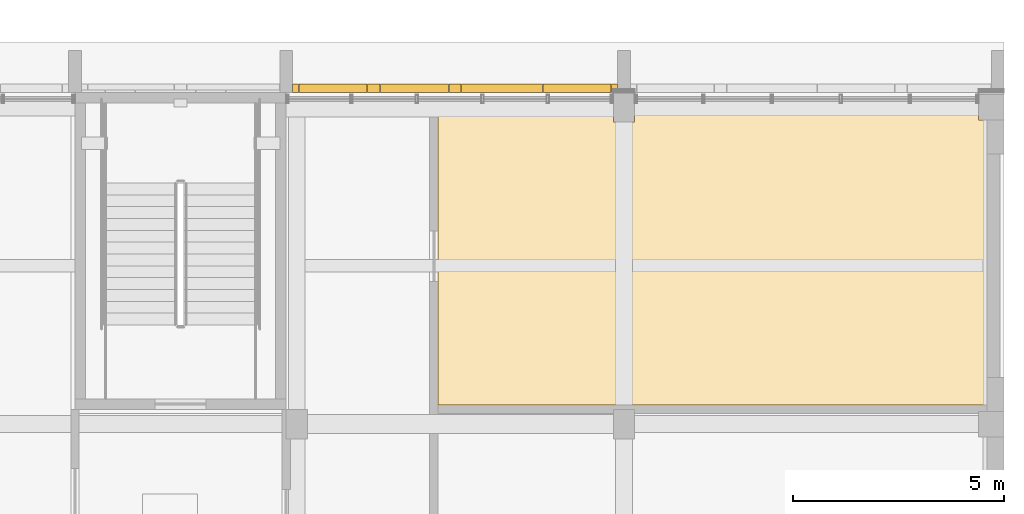
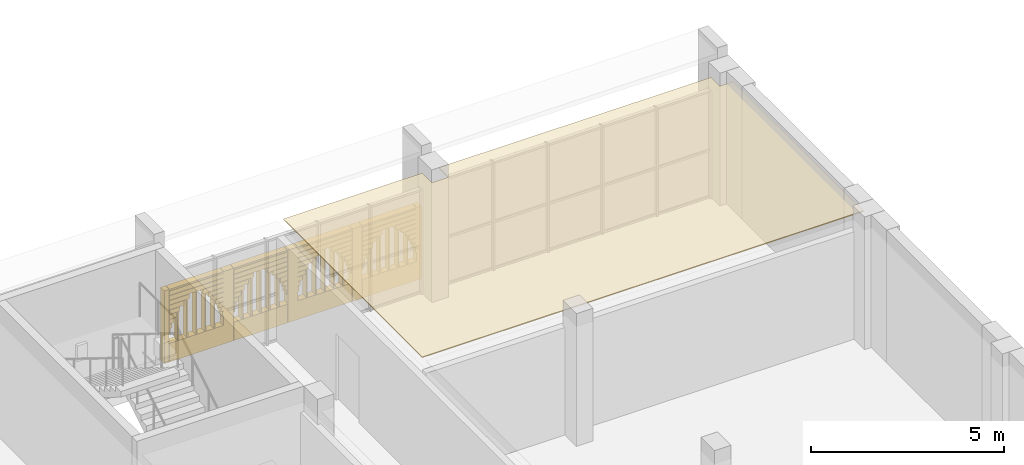
# One storey, part 97 of 98: 2 coverings.
"""IFC4 building model written with IfcOpenShell, lengths in metres."""

from ifc_helpers import new_model, si_unit, direction, frame, origin, origin_2d, place, context, subcontext, project, spatial, polyline, rectangle, outline, extrude, material, layer, layer_set, type_object, element, save


model = new_model("IFC4")

# Units and contexts
model_context = context("Model", 3, precision=1e-05, world=origin(), true_north=direction((0.0, 1.0)))
body_context = subcontext(model_context, "Body", "Model", "MODEL_VIEW")
ifc_project = project(units=[si_unit("LENGTHUNIT", "METRE"), si_unit("AREAUNIT", "SQUARE_METRE"), si_unit("VOLUMEUNIT", "CUBIC_METRE"), si_unit("PLANEANGLEUNIT", "RADIAN"), si_unit("MASSUNIT", "GRAM", prefix="KILO")], contexts=[model_context])

# Site, building, storey
site_placement = place(None, origin())
site = spatial("IfcSite", under=ifc_project, at=site_placement, CompositionType="ELEMENT")
building_placement = place(site_placement, origin())
building = spatial("IfcBuilding", under=site, at=building_placement, Name="Sun Court Science Centre", CompositionType="ELEMENT")
storey_placement = place(building_placement, frame((0.0, 0.0, 15.75)))
storey = spatial("IfcBuildingStorey", under=building, at=storey_placement, Name="L03", CompositionType="ELEMENT", Elevation=15.75)

# Coverings
ifc_material_1 = material(Name="Red sandstone", Category="masonry")
ifc_layer_1 = layer(ifc_material_1, 0.199951171875)
ifc_layer_set_1 = layer_set([ifc_layer_1], Name="Red sandstone")
covering_type_1 = type_object("IfcCoveringType", Name="Arched jali screen 200", PredefinedType="CLADDING", material=ifc_layer_set_1)
covering_1_placement = place(storey_placement, frame((0.0, 0.0, -15.75)))
element("IfcCovering", 1, at=covering_1_placement, inside=storey, type_object=covering_type_1, Name="Arched jali screen north L03 03", PredefinedType="CLADDING", context=body_context, shape_type="SweptSolid", body=[
    extrude(rectangle(XDim=0.139892578125, YDim=0.199951171875, at=origin_2d()), frame((87.22509765625, 81.10009765625, 16.054931640625), z_axis=(0.0, 0.0, 1.0), x_axis=(1.0, 0.0, 0.0)), (0.0, 0.0, 1.0), 2.29736328125),
    extrude(rectangle(XDim=0.2900390625, YDim=0.199951171875, at=origin_2d()), frame((89.074951171875, 81.10009765625, 16.054931640625), z_axis=(0.0, 0.0, 1.0), x_axis=(1.0, 0.0, 0.0)), (0.0, 0.0, 1.0), 2.29736328125),
    extrude(rectangle(XDim=0.2900390625, YDim=0.199951171875, at=origin_2d()), frame((91.0, 81.10009765625, 16.054931640625), z_axis=(0.0, 0.0, 1.0), x_axis=(1.0, 0.0, 0.0)), (0.0, 0.0, 1.0), 2.29736328125),
    extrude(rectangle(XDim=0.2900390625, YDim=0.199951171875, at=origin_2d()), frame((92.925048828125, 81.10009765625, 16.054931640625), z_axis=(0.0, 0.0, 1.0), x_axis=(1.0, 0.0, 0.0)), (0.0, 0.0, 1.0), 2.29736328125),
    extrude(rectangle(XDim=0.139892578125, YDim=0.199951171875, at=origin_2d()), frame((94.77490234375, 81.10009765625, 16.054931640625), z_axis=(0.0, 0.0, 1.0), x_axis=(1.0, 0.0, 0.0)), (0.0, 0.0, 1.0), 2.29736328125),
    extrude(rectangle(XDim=1.614990234375, YDim=0.199951171875, at=origin_2d()), frame((88.112548828125, 81.10009765625, 16.05517578125), z_axis=(0.0, 0.0, 1.0), x_axis=(1.0, 0.0, 0.0)), (0.0, 0.0, 1.0), 0.590087890625),
    extrude(rectangle(XDim=0.033935546875, YDim=0.199951171875, at=origin_2d()), frame((87.322021484375, 81.10009765625, 16.955078125), z_axis=(0.0, 0.0, 1.0), x_axis=(1.0, 0.0, 0.0)), (0.0, 0.0, 1.0), 0.139892578125),
    extrude(rectangle(XDim=0.033935546875, YDim=0.199951171875, at=origin_2d()), frame((88.903076171875, 81.10009765625, 16.955078125), z_axis=(0.0, 0.0, 1.0), x_axis=(1.0, 0.0, 0.0)), (0.0, 0.0, 1.0), 0.139892578125),
    extrude(rectangle(XDim=0.0771484375, YDim=0.199951171875, at=origin_2d()), frame((87.343505859375, 81.10009765625, 17.10498046875), z_axis=(0.0, 0.0, 1.0), x_axis=(1.0, 0.0, 0.0)), (0.0, 0.0, 1.0), 0.139892578125),
    extrude(rectangle(XDim=0.0771484375, YDim=0.199951171875, at=origin_2d()), frame((88.88134765625, 81.10009765625, 17.10498046875), z_axis=(0.0, 0.0, 1.0), x_axis=(1.0, 0.0, 0.0)), (0.0, 0.0, 1.0), 0.139892578125),
    extrude(rectangle(XDim=0.13671875, YDim=0.199951171875, at=origin_2d()), frame((87.373291015625, 81.10009765625, 17.2548828125), z_axis=(0.0, 0.0, 1.0), x_axis=(1.0, 0.0, 0.0)), (0.0, 0.0, 1.0), 0.139892578125),
    extrude(rectangle(XDim=0.13671875, YDim=0.199951171875, at=origin_2d()), frame((88.8515625, 81.10009765625, 17.2548828125), z_axis=(0.0, 0.0, 1.0), x_axis=(1.0, 0.0, 0.0)), (0.0, 0.0, 1.0), 0.139892578125),
    extrude(rectangle(XDim=0.215087890625, YDim=0.199951171875, at=origin_2d()), frame((87.41259765625, 81.10009765625, 17.4052734375), z_axis=(0.0, 0.0, 1.0), x_axis=(1.0, 0.0, 0.0)), (0.0, 0.0, 1.0), 0.139892578125),
    extrude(rectangle(XDim=0.215087890625, YDim=0.199951171875, at=origin_2d()), frame((88.8125, 81.10009765625, 17.4052734375), z_axis=(0.0, 0.0, 1.0), x_axis=(1.0, 0.0, 0.0)), (0.0, 0.0, 1.0), 0.139892578125),
    extrude(rectangle(XDim=0.31494140625, YDim=0.199951171875, at=origin_2d()), frame((87.46240234375, 81.10009765625, 17.55517578125), z_axis=(0.0, 0.0, 1.0), x_axis=(1.0, 0.0, 0.0)), (0.0, 0.0, 1.0), 0.139892578125),
    extrude(rectangle(XDim=0.31494140625, YDim=0.199951171875, at=origin_2d()), frame((88.762451171875, 81.10009765625, 17.55517578125), z_axis=(0.0, 0.0, 1.0), x_axis=(1.0, 0.0, 0.0)), (0.0, 0.0, 1.0), 0.139892578125),
    extrude(rectangle(XDim=0.4423828125, YDim=0.199951171875, at=origin_2d()), frame((87.526123046875, 81.10009765625, 17.705078125), z_axis=(0.0, 0.0, 1.0), x_axis=(1.0, 0.0, 0.0)), (0.0, 0.0, 1.0), 0.139892578125),
    extrude(rectangle(XDim=0.4423828125, YDim=0.199951171875, at=origin_2d()), frame((88.69873046875, 81.10009765625, 17.705078125), z_axis=(0.0, 0.0, 1.0), x_axis=(1.0, 0.0, 0.0)), (0.0, 0.0, 1.0), 0.139892578125),
    extrude(rectangle(XDim=0.607421875, YDim=0.199951171875, at=origin_2d()), frame((87.608642578125, 81.10009765625, 17.85498046875), z_axis=(0.0, 0.0, 1.0), x_axis=(1.0, 0.0, 0.0)), (0.0, 0.0, 1.0), 0.139892578125),
    extrude(rectangle(XDim=0.607421875, YDim=0.199951171875, at=origin_2d()), frame((88.6162109375, 81.10009765625, 17.85498046875), z_axis=(0.0, 0.0, 1.0), x_axis=(1.0, 0.0, 0.0)), (0.0, 0.0, 1.0), 0.139892578125),
    extrude(rectangle(XDim=1.614990234375, YDim=0.199951171875, at=origin_2d()), frame((88.112548828125, 81.10009765625, 18.0048828125), z_axis=(0.0, 0.0, 1.0), x_axis=(1.0, 0.0, 0.0)), (0.0, 0.0, 1.0), 0.139892578125),
    extrude(rectangle(XDim=1.614990234375, YDim=0.199951171875, at=origin_2d()), frame((88.112548828125, 81.10009765625, 18.1552734375), z_axis=(0.0, 0.0, 1.0), x_axis=(1.0, 0.0, 0.0)), (0.0, 0.0, 1.0), 0.139892578125),
    extrude(rectangle(XDim=1.614990234375, YDim=0.199951171875, at=origin_2d()), frame((88.112548828125, 81.10009765625, 18.304931640625), z_axis=(0.0, 0.0, 1.0), x_axis=(1.0, 0.0, 0.0)), (0.0, 0.0, 1.0), 0.04736328125),
    extrude(rectangle(XDim=0.0400390625, YDim=0.199951171875, at=origin_2d()), frame((87.57080078125, 81.10009765625, 16.655029296875), z_axis=(0.0, 0.0, 1.0), x_axis=(1.0, 0.0, 0.0)), (0.0, 0.0, 1.0), 0.88818359375),
    extrude(rectangle(XDim=0.0400390625, YDim=0.199951171875, at=origin_2d()), frame((87.841552734375, 81.10009765625, 16.655029296875), z_axis=(0.0, 0.0, 1.0), x_axis=(1.0, 0.0, 0.0)), (0.0, 0.0, 1.0), 1.201171875),
    extrude(rectangle(XDim=0.0400390625, YDim=0.199951171875, at=origin_2d()), frame((88.112548828125, 81.10009765625, 16.6552734375), z_axis=(0.0, 0.0, 1.0), x_axis=(1.0, 0.0, 0.0)), (0.0, 0.0, 1.0), 1.397216796875),
    extrude(rectangle(XDim=0.0400390625, YDim=0.199951171875, at=origin_2d()), frame((88.38330078125, 81.10009765625, 16.655029296875), z_axis=(0.0, 0.0, 1.0), x_axis=(1.0, 0.0, 0.0)), (0.0, 0.0, 1.0), 1.201171875),
    extrude(rectangle(XDim=0.0400390625, YDim=0.199951171875, at=origin_2d()), frame((88.654052734375, 81.10009765625, 16.655029296875), z_axis=(0.0, 0.0, 1.0), x_axis=(1.0, 0.0, 0.0)), (0.0, 0.0, 1.0), 0.88818359375),
    extrude(rectangle(XDim=1.614990234375, YDim=0.199951171875, at=origin_2d()), frame((90.03759765625, 81.10009765625, 16.05517578125), z_axis=(0.0, 0.0, 1.0), x_axis=(1.0, 0.0, 0.0)), (0.0, 0.0, 1.0), 0.590087890625),
    extrude(rectangle(XDim=0.033935546875, YDim=0.199951171875, at=origin_2d()), frame((89.246826171875, 81.10009765625, 16.955078125), z_axis=(0.0, 0.0, 1.0), x_axis=(1.0, 0.0, 0.0)), (0.0, 0.0, 1.0), 0.139892578125),
    extrude(rectangle(XDim=0.033935546875, YDim=0.199951171875, at=origin_2d()), frame((90.828125, 81.10009765625, 16.955078125), z_axis=(0.0, 0.0, 1.0), x_axis=(1.0, 0.0, 0.0)), (0.0, 0.0, 1.0), 0.139892578125),
    extrude(rectangle(XDim=0.0771484375, YDim=0.199951171875, at=origin_2d()), frame((89.2685546875, 81.10009765625, 17.10498046875), z_axis=(0.0, 0.0, 1.0), x_axis=(1.0, 0.0, 0.0)), (0.0, 0.0, 1.0), 0.139892578125),
    extrude(rectangle(XDim=0.0771484375, YDim=0.199951171875, at=origin_2d()), frame((90.806396484375, 81.10009765625, 17.10498046875), z_axis=(0.0, 0.0, 1.0), x_axis=(1.0, 0.0, 0.0)), (0.0, 0.0, 1.0), 0.139892578125),
    extrude(rectangle(XDim=0.13671875, YDim=0.199951171875, at=origin_2d()), frame((89.29833984375, 81.10009765625, 17.2548828125), z_axis=(0.0, 0.0, 1.0), x_axis=(1.0, 0.0, 0.0)), (0.0, 0.0, 1.0), 0.139892578125),
    extrude(rectangle(XDim=0.13671875, YDim=0.199951171875, at=origin_2d()), frame((90.776611328125, 81.10009765625, 17.2548828125), z_axis=(0.0, 0.0, 1.0), x_axis=(1.0, 0.0, 0.0)), (0.0, 0.0, 1.0), 0.139892578125),
    extrude(rectangle(XDim=0.215087890625, YDim=0.199951171875, at=origin_2d()), frame((89.33740234375, 81.10009765625, 17.4052734375), z_axis=(0.0, 0.0, 1.0), x_axis=(1.0, 0.0, 0.0)), (0.0, 0.0, 1.0), 0.139892578125),
    extrude(rectangle(XDim=0.215087890625, YDim=0.199951171875, at=origin_2d()), frame((90.737548828125, 81.10009765625, 17.4052734375), z_axis=(0.0, 0.0, 1.0), x_axis=(1.0, 0.0, 0.0)), (0.0, 0.0, 1.0), 0.139892578125),
    extrude(rectangle(XDim=0.31494140625, YDim=0.199951171875, at=origin_2d()), frame((89.387451171875, 81.10009765625, 17.55517578125), z_axis=(0.0, 0.0, 1.0), x_axis=(1.0, 0.0, 0.0)), (0.0, 0.0, 1.0), 0.139892578125),
    extrude(rectangle(XDim=0.31494140625, YDim=0.199951171875, at=origin_2d()), frame((90.6875, 81.10009765625, 17.55517578125), z_axis=(0.0, 0.0, 1.0), x_axis=(1.0, 0.0, 0.0)), (0.0, 0.0, 1.0), 0.139892578125),
    extrude(rectangle(XDim=0.4423828125, YDim=0.199951171875, at=origin_2d()), frame((89.451171875, 81.10009765625, 17.705078125), z_axis=(0.0, 0.0, 1.0), x_axis=(1.0, 0.0, 0.0)), (0.0, 0.0, 1.0), 0.139892578125),
    extrude(rectangle(XDim=0.4423828125, YDim=0.199951171875, at=origin_2d()), frame((90.623779296875, 81.10009765625, 17.705078125), z_axis=(0.0, 0.0, 1.0), x_axis=(1.0, 0.0, 0.0)), (0.0, 0.0, 1.0), 0.139892578125),
    extrude(rectangle(XDim=0.607421875, YDim=0.199951171875, at=origin_2d()), frame((89.53369140625, 81.10009765625, 17.85498046875), z_axis=(0.0, 0.0, 1.0), x_axis=(1.0, 0.0, 0.0)), (0.0, 0.0, 1.0), 0.139892578125),
    extrude(rectangle(XDim=0.607421875, YDim=0.199951171875, at=origin_2d()), frame((90.541259765625, 81.10009765625, 17.85498046875), z_axis=(0.0, 0.0, 1.0), x_axis=(1.0, 0.0, 0.0)), (0.0, 0.0, 1.0), 0.139892578125),
    extrude(rectangle(XDim=1.614990234375, YDim=0.199951171875, at=origin_2d()), frame((90.03759765625, 81.10009765625, 18.0048828125), z_axis=(0.0, 0.0, 1.0), x_axis=(1.0, 0.0, 0.0)), (0.0, 0.0, 1.0), 0.139892578125),
    extrude(rectangle(XDim=1.614990234375, YDim=0.199951171875, at=origin_2d()), frame((90.03759765625, 81.10009765625, 18.1552734375), z_axis=(0.0, 0.0, 1.0), x_axis=(1.0, 0.0, 0.0)), (0.0, 0.0, 1.0), 0.139892578125),
    extrude(rectangle(XDim=1.614990234375, YDim=0.199951171875, at=origin_2d()), frame((90.03759765625, 81.10009765625, 18.304931640625), z_axis=(0.0, 0.0, 1.0), x_axis=(1.0, 0.0, 0.0)), (0.0, 0.0, 1.0), 0.04736328125),
    extrude(rectangle(XDim=0.0400390625, YDim=0.199951171875, at=origin_2d()), frame((89.495849609375, 81.10009765625, 16.655029296875), z_axis=(0.0, 0.0, 1.0), x_axis=(1.0, 0.0, 0.0)), (0.0, 0.0, 1.0), 0.88818359375),
    extrude(rectangle(XDim=0.0400390625, YDim=0.199951171875, at=origin_2d()), frame((89.7666015625, 81.10009765625, 16.655029296875), z_axis=(0.0, 0.0, 1.0), x_axis=(1.0, 0.0, 0.0)), (0.0, 0.0, 1.0), 1.201171875),
    extrude(rectangle(XDim=0.0400390625, YDim=0.199951171875, at=origin_2d()), frame((90.03759765625, 81.10009765625, 16.6552734375), z_axis=(0.0, 0.0, 1.0), x_axis=(1.0, 0.0, 0.0)), (0.0, 0.0, 1.0), 1.397216796875),
    extrude(rectangle(XDim=0.0400390625, YDim=0.199951171875, at=origin_2d()), frame((90.308349609375, 81.10009765625, 16.655029296875), z_axis=(0.0, 0.0, 1.0), x_axis=(1.0, 0.0, 0.0)), (0.0, 0.0, 1.0), 1.201171875),
    extrude(rectangle(XDim=0.0400390625, YDim=0.199951171875, at=origin_2d()), frame((90.5791015625, 81.10009765625, 16.655029296875), z_axis=(0.0, 0.0, 1.0), x_axis=(1.0, 0.0, 0.0)), (0.0, 0.0, 1.0), 0.88818359375),
    extrude(rectangle(XDim=1.614990234375, YDim=0.199951171875, at=origin_2d()), frame((91.96240234375, 81.10009765625, 16.05517578125), z_axis=(0.0, 0.0, 1.0), x_axis=(1.0, 0.0, 0.0)), (0.0, 0.0, 1.0), 0.590087890625),
    extrude(rectangle(XDim=0.033935546875, YDim=0.199951171875, at=origin_2d()), frame((91.171875, 81.10009765625, 16.955078125), z_axis=(0.0, 0.0, 1.0), x_axis=(1.0, 0.0, 0.0)), (0.0, 0.0, 1.0), 0.139892578125),
    extrude(rectangle(XDim=0.033935546875, YDim=0.199951171875, at=origin_2d()), frame((92.753173828125, 81.10009765625, 16.955078125), z_axis=(0.0, 0.0, 1.0), x_axis=(1.0, 0.0, 0.0)), (0.0, 0.0, 1.0), 0.139892578125),
    extrude(rectangle(XDim=0.0771484375, YDim=0.199951171875, at=origin_2d()), frame((91.193603515625, 81.10009765625, 17.10498046875), z_axis=(0.0, 0.0, 1.0), x_axis=(1.0, 0.0, 0.0)), (0.0, 0.0, 1.0), 0.139892578125),
    extrude(rectangle(XDim=0.0771484375, YDim=0.199951171875, at=origin_2d()), frame((92.7314453125, 81.10009765625, 17.10498046875), z_axis=(0.0, 0.0, 1.0), x_axis=(1.0, 0.0, 0.0)), (0.0, 0.0, 1.0), 0.139892578125),
    extrude(rectangle(XDim=0.13671875, YDim=0.199951171875, at=origin_2d()), frame((91.223388671875, 81.10009765625, 17.2548828125), z_axis=(0.0, 0.0, 1.0), x_axis=(1.0, 0.0, 0.0)), (0.0, 0.0, 1.0), 0.139892578125),
    extrude(rectangle(XDim=0.13671875, YDim=0.199951171875, at=origin_2d()), frame((92.70166015625, 81.10009765625, 17.2548828125), z_axis=(0.0, 0.0, 1.0), x_axis=(1.0, 0.0, 0.0)), (0.0, 0.0, 1.0), 0.139892578125),
    extrude(rectangle(XDim=0.215087890625, YDim=0.199951171875, at=origin_2d()), frame((91.262451171875, 81.10009765625, 17.4052734375), z_axis=(0.0, 0.0, 1.0), x_axis=(1.0, 0.0, 0.0)), (0.0, 0.0, 1.0), 0.139892578125),
    extrude(rectangle(XDim=0.215087890625, YDim=0.199951171875, at=origin_2d()), frame((92.66259765625, 81.10009765625, 17.4052734375), z_axis=(0.0, 0.0, 1.0), x_axis=(1.0, 0.0, 0.0)), (0.0, 0.0, 1.0), 0.139892578125),
    extrude(rectangle(XDim=0.31494140625, YDim=0.199951171875, at=origin_2d()), frame((91.3125, 81.10009765625, 17.55517578125), z_axis=(0.0, 0.0, 1.0), x_axis=(1.0, 0.0, 0.0)), (0.0, 0.0, 1.0), 0.139892578125),
    extrude(rectangle(XDim=0.31494140625, YDim=0.199951171875, at=origin_2d()), frame((92.612548828125, 81.10009765625, 17.55517578125), z_axis=(0.0, 0.0, 1.0), x_axis=(1.0, 0.0, 0.0)), (0.0, 0.0, 1.0), 0.139892578125),
    extrude(rectangle(XDim=0.4423828125, YDim=0.199951171875, at=origin_2d()), frame((91.376220703125, 81.10009765625, 17.705078125), z_axis=(0.0, 0.0, 1.0), x_axis=(1.0, 0.0, 0.0)), (0.0, 0.0, 1.0), 0.139892578125),
    extrude(rectangle(XDim=0.4423828125, YDim=0.199951171875, at=origin_2d()), frame((92.548828125, 81.10009765625, 17.705078125), z_axis=(0.0, 0.0, 1.0), x_axis=(1.0, 0.0, 0.0)), (0.0, 0.0, 1.0), 0.139892578125),
    extrude(rectangle(XDim=0.607421875, YDim=0.199951171875, at=origin_2d()), frame((91.458740234375, 81.10009765625, 17.85498046875), z_axis=(0.0, 0.0, 1.0), x_axis=(1.0, 0.0, 0.0)), (0.0, 0.0, 1.0), 0.139892578125),
    extrude(rectangle(XDim=0.607421875, YDim=0.199951171875, at=origin_2d()), frame((92.46630859375, 81.10009765625, 17.85498046875), z_axis=(0.0, 0.0, 1.0), x_axis=(1.0, 0.0, 0.0)), (0.0, 0.0, 1.0), 0.139892578125),
    extrude(rectangle(XDim=1.614990234375, YDim=0.199951171875, at=origin_2d()), frame((91.96240234375, 81.10009765625, 18.0048828125), z_axis=(0.0, 0.0, 1.0), x_axis=(1.0, 0.0, 0.0)), (0.0, 0.0, 1.0), 0.139892578125),
    extrude(rectangle(XDim=1.614990234375, YDim=0.199951171875, at=origin_2d()), frame((91.96240234375, 81.10009765625, 18.1552734375), z_axis=(0.0, 0.0, 1.0), x_axis=(1.0, 0.0, 0.0)), (0.0, 0.0, 1.0), 0.139892578125),
    extrude(rectangle(XDim=1.614990234375, YDim=0.199951171875, at=origin_2d()), frame((91.96240234375, 81.10009765625, 18.304931640625), z_axis=(0.0, 0.0, 1.0), x_axis=(1.0, 0.0, 0.0)), (0.0, 0.0, 1.0), 0.04736328125),
    extrude(rectangle(XDim=0.0400390625, YDim=0.199951171875, at=origin_2d()), frame((91.4208984375, 81.10009765625, 16.655029296875), z_axis=(0.0, 0.0, 1.0), x_axis=(1.0, 0.0, 0.0)), (0.0, 0.0, 1.0), 0.88818359375),
    extrude(rectangle(XDim=0.0400390625, YDim=0.199951171875, at=origin_2d()), frame((91.691650390625, 81.10009765625, 16.655029296875), z_axis=(0.0, 0.0, 1.0), x_axis=(1.0, 0.0, 0.0)), (0.0, 0.0, 1.0), 1.201171875),
    extrude(rectangle(XDim=0.0400390625, YDim=0.199951171875, at=origin_2d()), frame((91.96240234375, 81.10009765625, 16.6552734375), z_axis=(0.0, 0.0, 1.0), x_axis=(1.0, 0.0, 0.0)), (0.0, 0.0, 1.0), 1.397216796875),
    extrude(rectangle(XDim=0.0400390625, YDim=0.199951171875, at=origin_2d()), frame((92.2333984375, 81.10009765625, 16.655029296875), z_axis=(0.0, 0.0, 1.0), x_axis=(1.0, 0.0, 0.0)), (0.0, 0.0, 1.0), 1.201171875),
    extrude(rectangle(XDim=0.0400390625, YDim=0.199951171875, at=origin_2d()), frame((92.504150390625, 81.10009765625, 16.655029296875), z_axis=(0.0, 0.0, 1.0), x_axis=(1.0, 0.0, 0.0)), (0.0, 0.0, 1.0), 0.88818359375),
    extrude(rectangle(XDim=1.614990234375, YDim=0.199951171875, at=origin_2d()), frame((93.887451171875, 81.10009765625, 16.05517578125), z_axis=(0.0, 0.0, 1.0), x_axis=(1.0, 0.0, 0.0)), (0.0, 0.0, 1.0), 0.590087890625),
    extrude(rectangle(XDim=0.033935546875, YDim=0.199951171875, at=origin_2d()), frame((93.096923828125, 81.10009765625, 16.955078125), z_axis=(0.0, 0.0, 1.0), x_axis=(1.0, 0.0, 0.0)), (0.0, 0.0, 1.0), 0.139892578125),
    extrude(rectangle(XDim=0.033935546875, YDim=0.199951171875, at=origin_2d()), frame((94.677978515625, 81.10009765625, 16.955078125), z_axis=(0.0, 0.0, 1.0), x_axis=(1.0, 0.0, 0.0)), (0.0, 0.0, 1.0), 0.139892578125),
    extrude(rectangle(XDim=0.0771484375, YDim=0.199951171875, at=origin_2d()), frame((93.11865234375, 81.10009765625, 17.10498046875), z_axis=(0.0, 0.0, 1.0), x_axis=(1.0, 0.0, 0.0)), (0.0, 0.0, 1.0), 0.139892578125),
    extrude(rectangle(XDim=0.0771484375, YDim=0.199951171875, at=origin_2d()), frame((94.656494140625, 81.10009765625, 17.10498046875), z_axis=(0.0, 0.0, 1.0), x_axis=(1.0, 0.0, 0.0)), (0.0, 0.0, 1.0), 0.139892578125),
    extrude(rectangle(XDim=0.13671875, YDim=0.199951171875, at=origin_2d()), frame((93.1484375, 81.10009765625, 17.2548828125), z_axis=(0.0, 0.0, 1.0), x_axis=(1.0, 0.0, 0.0)), (0.0, 0.0, 1.0), 0.139892578125),
    extrude(rectangle(XDim=0.13671875, YDim=0.199951171875, at=origin_2d()), frame((94.626708984375, 81.10009765625, 17.2548828125), z_axis=(0.0, 0.0, 1.0), x_axis=(1.0, 0.0, 0.0)), (0.0, 0.0, 1.0), 0.139892578125),
    extrude(rectangle(XDim=0.215087890625, YDim=0.199951171875, at=origin_2d()), frame((93.1875, 81.10009765625, 17.4052734375), z_axis=(0.0, 0.0, 1.0), x_axis=(1.0, 0.0, 0.0)), (0.0, 0.0, 1.0), 0.139892578125),
    extrude(rectangle(XDim=0.215087890625, YDim=0.199951171875, at=origin_2d()), frame((94.58740234375, 81.10009765625, 17.4052734375), z_axis=(0.0, 0.0, 1.0), x_axis=(1.0, 0.0, 0.0)), (0.0, 0.0, 1.0), 0.139892578125),
    extrude(rectangle(XDim=0.31494140625, YDim=0.199951171875, at=origin_2d()), frame((93.237548828125, 81.10009765625, 17.55517578125), z_axis=(0.0, 0.0, 1.0), x_axis=(1.0, 0.0, 0.0)), (0.0, 0.0, 1.0), 0.139892578125),
    extrude(rectangle(XDim=0.31494140625, YDim=0.199951171875, at=origin_2d()), frame((94.53759765625, 81.10009765625, 17.55517578125), z_axis=(0.0, 0.0, 1.0), x_axis=(1.0, 0.0, 0.0)), (0.0, 0.0, 1.0), 0.139892578125),
    extrude(rectangle(XDim=0.4423828125, YDim=0.199951171875, at=origin_2d()), frame((93.30126953125, 81.10009765625, 17.705078125), z_axis=(0.0, 0.0, 1.0), x_axis=(1.0, 0.0, 0.0)), (0.0, 0.0, 1.0), 0.139892578125),
    extrude(rectangle(XDim=0.4423828125, YDim=0.199951171875, at=origin_2d()), frame((94.473876953125, 81.10009765625, 17.705078125), z_axis=(0.0, 0.0, 1.0), x_axis=(1.0, 0.0, 0.0)), (0.0, 0.0, 1.0), 0.139892578125),
    extrude(rectangle(XDim=0.607421875, YDim=0.199951171875, at=origin_2d()), frame((93.3837890625, 81.10009765625, 17.85498046875), z_axis=(0.0, 0.0, 1.0), x_axis=(1.0, 0.0, 0.0)), (0.0, 0.0, 1.0), 0.139892578125),
    extrude(rectangle(XDim=0.607421875, YDim=0.199951171875, at=origin_2d()), frame((94.391357421875, 81.10009765625, 17.85498046875), z_axis=(0.0, 0.0, 1.0), x_axis=(1.0, 0.0, 0.0)), (0.0, 0.0, 1.0), 0.139892578125),
    extrude(rectangle(XDim=1.614990234375, YDim=0.199951171875, at=origin_2d()), frame((93.887451171875, 81.10009765625, 18.0048828125), z_axis=(0.0, 0.0, 1.0), x_axis=(1.0, 0.0, 0.0)), (0.0, 0.0, 1.0), 0.139892578125),
    extrude(rectangle(XDim=1.614990234375, YDim=0.199951171875, at=origin_2d()), frame((93.887451171875, 81.10009765625, 18.1552734375), z_axis=(0.0, 0.0, 1.0), x_axis=(1.0, 0.0, 0.0)), (0.0, 0.0, 1.0), 0.139892578125),
    extrude(rectangle(XDim=1.614990234375, YDim=0.199951171875, at=origin_2d()), frame((93.887451171875, 81.10009765625, 18.304931640625), z_axis=(0.0, 0.0, 1.0), x_axis=(1.0, 0.0, 0.0)), (0.0, 0.0, 1.0), 0.04736328125),
    extrude(rectangle(XDim=0.0400390625, YDim=0.199951171875, at=origin_2d()), frame((93.345947265625, 81.10009765625, 16.655029296875), z_axis=(0.0, 0.0, 1.0), x_axis=(1.0, 0.0, 0.0)), (0.0, 0.0, 1.0), 0.88818359375),
    extrude(rectangle(XDim=0.0400390625, YDim=0.199951171875, at=origin_2d()), frame((93.61669921875, 81.10009765625, 16.655029296875), z_axis=(0.0, 0.0, 1.0), x_axis=(1.0, 0.0, 0.0)), (0.0, 0.0, 1.0), 1.201171875),
    extrude(rectangle(XDim=0.0400390625, YDim=0.199951171875, at=origin_2d()), frame((93.887451171875, 81.10009765625, 16.6552734375), z_axis=(0.0, 0.0, 1.0), x_axis=(1.0, 0.0, 0.0)), (0.0, 0.0, 1.0), 1.397216796875),
    extrude(rectangle(XDim=0.0400390625, YDim=0.199951171875, at=origin_2d()), frame((94.158447265625, 81.10009765625, 16.655029296875), z_axis=(0.0, 0.0, 1.0), x_axis=(1.0, 0.0, 0.0)), (0.0, 0.0, 1.0), 1.201171875),
    extrude(rectangle(XDim=0.0400390625, YDim=0.199951171875, at=origin_2d()), frame((94.42919921875, 81.10009765625, 16.655029296875), z_axis=(0.0, 0.0, 1.0), x_axis=(1.0, 0.0, 0.0)), (0.0, 0.0, 1.0), 0.88818359375),
])
ifc_material_2 = material(Name="Gypsum board")
ifc_layer_2 = layer(ifc_material_2, 0.030029296875)
ifc_layer_set_2 = layer_set([ifc_layer_2], Name="Gypsum board")
covering_type_2 = type_object("IfcCoveringType", Name="Ceiling suspended 600 module", PredefinedType="CEILING", material=ifc_layer_set_2)
covering_2_placement = place(storey_placement, frame((0.0, 0.0, 3.77001953125)))
element("IfcCovering", 2, at=covering_2_placement, inside=storey, type_object=covering_type_2, Name="L03-028 ceiling", PredefinedType="CEILING", context=body_context, shape_type="SweptSolid", body=[
    extrude(outline(polyline([(103.800048828125, 80.35009765625), (103.800048828125, 73.60009765625), (90.60009765625, 73.60009765625), (90.60009765625, 80.800048828125), (94.75, 80.800048828125), (94.75, 80.300048828125), (95.25, 80.300048828125), (95.25, 80.800048828125), (103.39990234375, 80.800048828125), (103.39990234375, 80.35009765625), (103.800048828125, 80.35009765625)])), origin(), (0.0, 0.0, 1.0), 0.030029296875),
])

save(model, "model.ifc")
